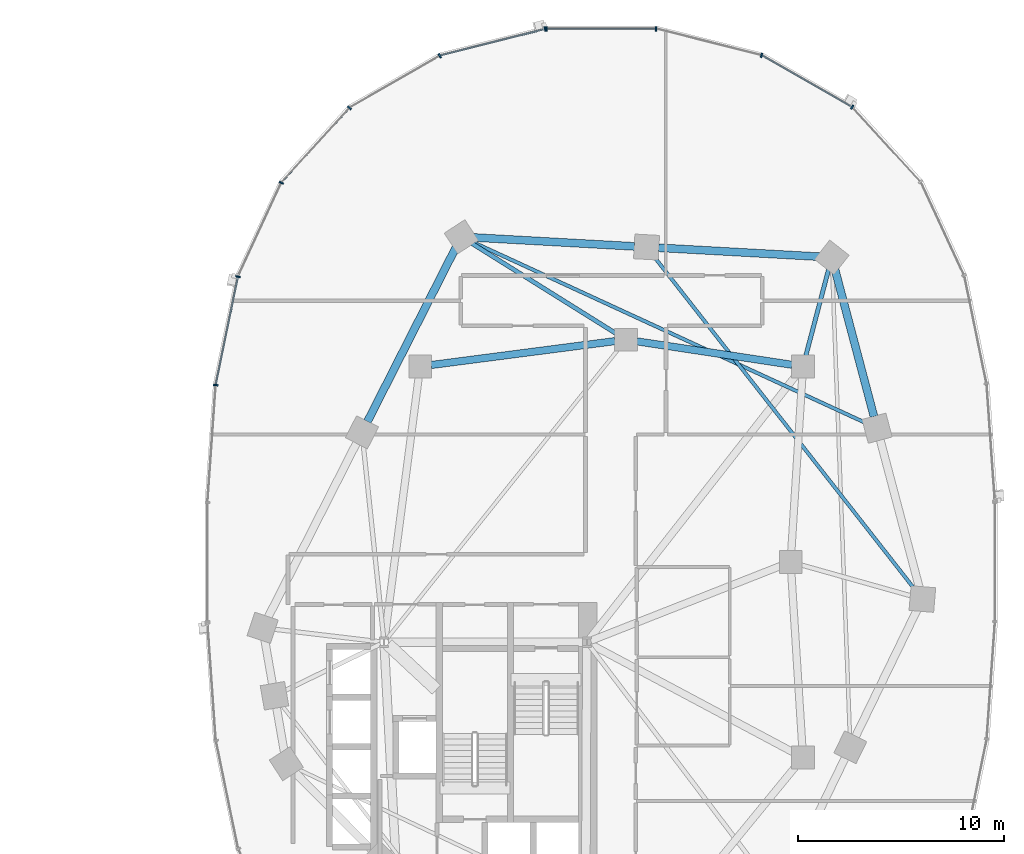
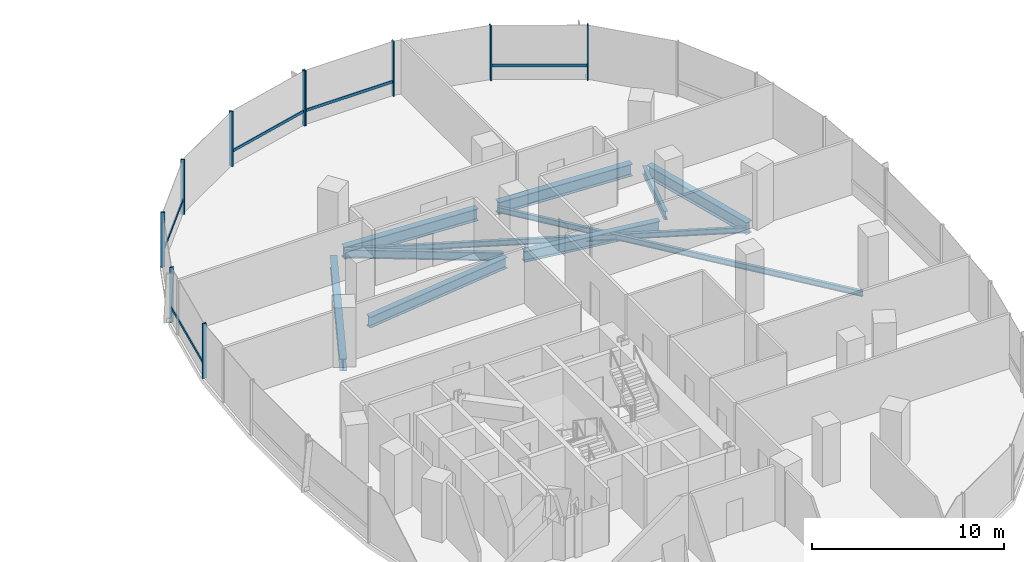
# One storey, part 7 of 22: 15 members, 10 beams, 2 elements without a shape of their own.
"""IFC4 building model written with IfcOpenShell, lengths in metres."""

import ifcopenshell
import ifcopenshell.guid

model = None  # the IFC model being written
_history = None  # IfcOwnerHistory: only IFC2X3 demands one
_inside = {}  # id of a spatial element -> (the spatial element, [elements in it])
_under = {}  # id of a project, library or spatial element -> (it, [spatial elements below it])
_declared = {}  # id of a project -> (the project, [libraries it declares])
_typed = {}  # id of a type object -> (the type object, [elements of that type])
_made_of = {}  # id of a material, layer set ... -> (it, [elements and type objects made of it])


def new_model(schema):
    """Start an empty IFC model of exactly this schema.

    Asked for "IFC4X3", IfcOpenShell would pick the latest addendum, in which some entities
    have other attributes; the version numbers below select the first issue.
    IFC2X3 requires an IfcOwnerHistory on every rooted entity: one is made here for all.
    """
    global model, _history
    if schema == "IFC4X3":
        model = ifcopenshell.file(schema_version=(4, 3, 0, 0))
    else:
        model = ifcopenshell.file(schema=schema)
    _inside.clear()
    _under.clear()
    _declared.clear()
    _typed.clear()
    _made_of.clear()
    _history = None
    if model.schema == "IFC2X3":
        org = make("IfcOrganization", Name="unknown")
        user = make(
            "IfcPersonAndOrganization",
            ThePerson=make("IfcPerson", FamilyName="unknown"),
            TheOrganization=org,
        )
        app = make(
            "IfcApplication",
            ApplicationDeveloper=org,
            Version="unknown",
            ApplicationFullName="unknown",
            ApplicationIdentifier="unknown",
        )
        _history = make(
            "IfcOwnerHistory",
            OwningUser=user,
            OwningApplication=app,
            ChangeAction="ADDED",
            CreationDate=0,
        )
    return model


def make(cls, **values):
    """One entity of the class cls with the attributes given. An attribute that is None is left unset."""
    return model.create_entity(
        cls, **{name: value for name, value in values.items() if value is not None}
    )


def rooted(cls, **values):
    """An entity with a GlobalId (a new one), such as an element, a storey or a relation."""
    return make(cls, GlobalId=ifcopenshell.guid.new(), OwnerHistory=_history, **values)


def si_unit(unit_type, name, prefix=None):
    """IfcSIUnit, for example si_unit("LENGTHUNIT", "METRE", prefix="MILLI")."""
    return make("IfcSIUnit", UnitType=unit_type, Prefix=prefix, Name=name)


def assignment(units):
    """IfcUnitAssignment: the units of a project."""
    return None if units is None else make("IfcUnitAssignment", Units=units)


def point(xyz):
    """IfcCartesianPoint."""
    return None if xyz is None else make("IfcCartesianPoint", Coordinates=xyz)


def direction(xyz):
    """IfcDirection."""
    return None if xyz is None else make("IfcDirection", DirectionRatios=xyz)


def frame(location, z_axis=None, x_axis=None):
    """IfcAxis2Placement3D, a coordinate frame: its origin and axes. An axis left out is left unset."""
    return make(
        "IfcAxis2Placement3D",
        Location=point(location),
        Axis=direction(z_axis),
        RefDirection=direction(x_axis),
    )


def frame_2d(location, x_axis=None):
    """IfcAxis2Placement2D, a coordinate frame in the plane: its origin and x axis."""
    return make(
        "IfcAxis2Placement2D", Location=point(location), RefDirection=direction(x_axis)
    )


def origin():
    """The frame at (0, 0, 0) with its axes left unset."""
    return frame((0.0, 0.0, 0.0))


def origin_2d():
    """The frame at (0, 0) in the plane with its x axis left unset."""
    return frame_2d((0.0, 0.0))


def place(relative_to, where):
    """IfcLocalPlacement: puts the frame where relative to a parent placement (None: the world)."""
    return make(
        "IfcLocalPlacement", PlacementRelTo=relative_to, RelativePlacement=where
    )


def context(
    kind, dimensions, precision=None, world=None, true_north=None, identifier=None
):
    """IfcGeometricRepresentationContext, for example the 3D "Model" context."""
    return make(
        "IfcGeometricRepresentationContext",
        ContextIdentifier=identifier,
        ContextType=kind,
        CoordinateSpaceDimension=dimensions,
        Precision=precision,
        WorldCoordinateSystem=world,
        TrueNorth=true_north,
    )


def subcontext(parent, identifier, kind, view, scale=None):
    """IfcGeometricRepresentationSubContext, for example "Body" below "Model"."""
    return make(
        "IfcGeometricRepresentationSubContext",
        ContextIdentifier=identifier,
        ContextType=kind,
        ParentContext=parent,
        TargetScale=scale,
        TargetView=view,
    )


def project(units=None, contexts=None):
    """IfcProject with its units and contexts."""
    return rooted(
        "IfcProject",
        Name="project",
        RepresentationContexts=contexts,
        UnitsInContext=assignment(units),
    )


def spatial(cls, under=None, at=None, **own):
    """A site, building, storey or space (cls), placed at a placement, below another one or the project."""
    s = rooted(cls, ObjectPlacement=at, **own)
    if under is not None:
        _under.setdefault(under.id(), (under, []))[1].append(s)
    return s


def profile(cls, at=None, kind="AREA", **sizes):
    """A parametric profile (cls). Its sizes go by their IFC names, for example OverallWidth=200.0."""
    return make(cls, ProfileType=kind, Position=at, **sizes)


def rectangle(**sizes):
    """IfcRectangleProfileDef."""
    return profile("IfcRectangleProfileDef", **sizes)


def i_section(**sizes):
    """IfcIShapeProfileDef."""
    return profile("IfcIShapeProfileDef", **sizes)


def extrude(swept, where, along, depth):
    """IfcExtrudedAreaSolid: the profile swept, set in the frame where, extruded along a direction by depth."""
    return make(
        "IfcExtrudedAreaSolid",
        SweptArea=swept,
        Position=where,
        ExtrudedDirection=direction(along),
        Depth=depth,
    )


def shape(context_of_items, identifier, shape_type, items):
    """IfcShapeRepresentation: the items that make up one representation, for example the "Body"."""
    return make(
        "IfcShapeRepresentation",
        ContextOfItems=context_of_items,
        RepresentationIdentifier=identifier,
        RepresentationType=shape_type,
        Items=items,
    )


def material(Name=None, Category=None):
    """IfcMaterial."""
    return make("IfcMaterial", Name=Name, Category=Category)


def material_profile(
    of_material, cross_section, Name=None, Category=None, Priority=None
):
    """IfcMaterialProfile: a cross section and its material."""
    return make(
        "IfcMaterialProfile",
        Name=Name,
        Material=of_material,
        Profile=cross_section,
        Priority=Priority,
        Category=Category,
    )


def profile_set(profiles, Name=None, composite=None):
    """IfcMaterialProfileSet."""
    return make(
        "IfcMaterialProfileSet",
        Name=Name,
        MaterialProfiles=profiles,
        CompositeProfile=composite,
    )


def made_of(thing, what):
    """Note that an element or type object is made of a material, layer set ...; save() writes the relation."""
    if what is not None:
        _made_of.setdefault(what.id(), (what, []))[1].append(thing)
    return thing


def type_object(cls, material=None, **own):
    """A type object (cls), such as IfcWallType, which elements share."""
    return made_of(rooted(cls, **own), material)


def element(
    cls,
    number,
    at=None,
    inside=None,
    cuts=None,
    type_object=None,
    material=None,
    context=None,
    identifier="Body",
    shape_type=None,
    held_by="IfcProductDefinitionShape",
    body=None,
    shapes=None,
    **own,
):
    """One element of the class cls, such as IfcWall. Its Tag is "e" and its number.

    at: its placement. inside: the storey or other place that contains it. cuts: it is an
    opening in that element (IfcRelVoidsElement). A single representation is given by context,
    identifier, shape_type and body (its items); several are given by shapes. held_by: the class
    of the entity that holds the representations. save() writes the other relations.
    """
    e = rooted(cls, Tag="e%d" % number, ObjectPlacement=at, **own)
    if body is not None:
        shapes = [shape(context, identifier, shape_type, body)]
    if shapes is not None:
        e.Representation = make(held_by, Representations=shapes)
    if inside is not None:
        _inside.setdefault(inside.id(), (inside, []))[1].append(e)
    if cuts is not None:
        rooted(
            "IfcRelVoidsElement", RelatingBuildingElement=cuts, RelatedOpeningElement=e
        )
    if type_object is not None:
        _typed.setdefault(type_object.id(), (type_object, []))[1].append(e)
    return made_of(e, material)


def aggregate(whole, parts):
    """IfcRelAggregates: a whole, such as a stair, and the parts it consists of."""
    return rooted("IfcRelAggregates", RelatingObject=whole, RelatedObjects=parts)


def save(model, path):
    """Write the relations noted so far, then the file.

    IfcRelAggregates (storeys below a building ...), IfcRelContainedInSpatialStructure (elements
    in a storey), IfcRelDefinesByType, IfcRelAssociatesMaterial and IfcRelDeclares: one each for
    every whole, place, type object, material and project.
    """
    for whole, parts in _under.values():
        aggregate(whole, parts)
    for where, things in _inside.values():
        rooted(
            "IfcRelContainedInSpatialStructure",
            RelatedElements=things,
            RelatingStructure=where,
        )
    for kind, things in _typed.values():
        rooted("IfcRelDefinesByType", RelatedObjects=things, RelatingType=kind)
    for what, things in _made_of.values():
        rooted("IfcRelAssociatesMaterial", RelatedObjects=things, RelatingMaterial=what)
    for by, libraries in _declared.values():
        rooted("IfcRelDeclares", RelatingContext=by, RelatedDefinitions=libraries)
    model.write(path)


model = new_model("IFC4")

# Units and contexts
model_context = context("Model", 3, precision=1e-05, world=origin(), true_north=direction((0.0, 1.0)))
body_context = subcontext(model_context, "Body", "Model", "MODEL_VIEW")
ifc_project = project(units=[si_unit("LENGTHUNIT", "METRE"), si_unit("AREAUNIT", "SQUARE_METRE"), si_unit("VOLUMEUNIT", "CUBIC_METRE"), si_unit("PLANEANGLEUNIT", "RADIAN"), si_unit("MASSUNIT", "GRAM", prefix="KILO"), si_unit("THERMODYNAMICTEMPERATUREUNIT", "KELVIN"), si_unit("POWERUNIT", "WATT")], contexts=[model_context])

# Site, building, storey
site_placement = place(None, origin())
site = spatial("IfcSite", under=ifc_project, at=site_placement, CompositionType="ELEMENT")
building_placement = place(site_placement, origin())
building = spatial("IfcBuilding", under=site, at=building_placement, Name="Cundina Bronze Exchange", CompositionType="ELEMENT")
storey_placement = place(building_placement, frame((0.0, 0.0, 43.0)))
storey = spatial("IfcBuildingStorey", under=building, at=storey_placement, Name="L10", CompositionType="ELEMENT", Elevation=43.0)

# Beams
ifc_material_1 = material(Name="Steel ASTM A992 Grade 50", Category="steel")
ifc_material_profile_1 = material_profile(ifc_material_1, i_section(OverallWidth=0.2099609375, OverallDepth=0.532958984375, WebThickness=0.01025390625, FlangeThickness=0.015625, FilletRadius=0.013916015625, at=origin_2d()), Name="W21X62", Category="steel")
ifc_profile_set_1 = profile_set([ifc_material_profile_1], Name="Steel ASTM A992 Grade 50")
beam_type_1 = type_object("IfcBeamType", Name="BM-FLR-W21B", PredefinedType="BEAM", material=ifc_profile_set_1)
beam_1_placement = place(storey_placement, frame((41.9375, 10.020263671875, -0.56640625), z_axis=(0.255373327887, 0.966842522546, 0.0), x_axis=(-0.966842522546, 0.255373327887, 0.0)))
element("IfcBeam", 1, at=beam_1_placement, inside=storey, type_object=beam_type_1, Name="L10 Leg E Chordal Floor Beam 10", PredefinedType="BEAM", context=body_context, shape_type="SweptSolid", body=[
    extrude(i_section(OverallWidth=0.2099609375, OverallDepth=0.532958984375, WebThickness=0.01025390625, FlangeThickness=0.015625, FilletRadius=0.013916015625, at=origin_2d()), origin(), (0.0, 0.0, 1.0), 4.355712890625),
])
beam_2_placement = place(storey_placement, frame((32.743896484375, 11.085205078125, -0.56640625), z_axis=(-0.848014812458, 0.529972525563, 0.0), x_axis=(-0.529972525563, -0.848014812458, 0.0)))
element("IfcBeam", 2, at=beam_2_placement, inside=storey, type_object=beam_type_1, Name="L10 Leg E Chordal Floor Beam 12", PredefinedType="BEAM", context=body_context, shape_type="SweptSolid", body=[
    extrude(i_section(OverallWidth=0.2099609375, OverallDepth=0.532958984375, WebThickness=0.01025390625, FlangeThickness=0.015625, FilletRadius=0.013916015625, at=origin_2d()), origin(), (0.0, 0.0, 1.0), 8.30810546875),
])
ifc_material_profile_2 = material_profile(ifc_material_1, i_section(OverallWidth=0.172119140625, OverallDepth=0.35791015625, WebThickness=0.0078125, FlangeThickness=0.01318359375, FilletRadius=0.010009765625, at=origin_2d()), Name="W14X38", Category="steel")
ifc_profile_set_2 = profile_set([ifc_material_profile_2], Name="Steel ASTM A992 Grade 50")
beam_type_2 = type_object("IfcBeamType", Name="BM-JST-W14", PredefinedType="JOIST", material=ifc_profile_set_2)
beam_3_placement = place(storey_placement, frame((47.2373046875, -1.337158203125, -0.47900390625), z_axis=(-0.616803089524, 0.787117493614, 0.0), x_axis=(-0.787117493614, -0.616803089524, 0.0)))
element("IfcBeam", 3, at=beam_3_placement, inside=storey, type_object=beam_type_2, Name="L10 Leg E Lobe Floor Joist 08-11", PredefinedType="JOIST", context=body_context, shape_type="SweptSolid", body=[
    extrude(i_section(OverallWidth=0.172119140625, OverallDepth=0.35791015625, WebThickness=0.0078125, FlangeThickness=0.01318359375, FilletRadius=0.010009765625, at=origin_2d()), origin(), (0.0, 0.0, 1.0), 20.548828125),
])
beam_4_placement = place(storey_placement, frame((44.865966796875, 6.745849609375, -0.47900390625), z_axis=(-0.908351511887, 0.418207521277, 0.0), x_axis=(-0.418207521277, -0.908351511887, 0.0)))
element("IfcBeam", 4, at=beam_4_placement, inside=storey, type_object=beam_type_2, Name="L10 Leg E Lobe Floor Joist 09-12", PredefinedType="JOIST", context=body_context, shape_type="SweptSolid", body=[
    extrude(i_section(OverallWidth=0.172119140625, OverallDepth=0.35791015625, WebThickness=0.0078125, FlangeThickness=0.01318359375, FilletRadius=0.010009765625, at=origin_2d()), origin(), (0.0, 0.0, 1.0), 21.062255859375),
])
ifc_material_profile_3 = material_profile(ifc_material_1, i_section(OverallWidth=0.35498046875, OverallDepth=0.695068359375, WebThickness=0.015380859375, FlangeThickness=0.02490234375, FilletRadius=0.01806640625, at=origin_2d()), Name="W27X146", Category="steel")
ifc_profile_set_3 = profile_set([ifc_material_profile_3], Name="Steel ASTM A992 Grade 50")
beam_type_3 = type_object("IfcBeamType", Name="BM-RING-W27", PredefinedType="USERDEFINED", material=ifc_profile_set_3)
beam_5_placement = place(storey_placement, frame((41.26806640625, 9.580322265625, -0.6474609375), z_axis=(-0.988767489563, 0.149461873341, 0.0), x_axis=(-0.149461873341, -0.988767489563, 0.0)))
element("IfcBeam", 5, at=beam_5_placement, inside=storey, type_object=beam_type_3, Name="L10 E Inner Structural Ring Girder 05", ObjectType="GIRDER", PredefinedType="USERDEFINED", context=body_context, shape_type="SweptSolid", body=[
    extrude(i_section(OverallWidth=0.35498046875, OverallDepth=0.695068359375, WebThickness=0.015380859375, FlangeThickness=0.02490234375, FilletRadius=0.01806640625, at=origin_2d()), origin(), (0.0, 0.0, 1.0), 7.621826171875),
])
beam_6_placement = place(storey_placement, frame((32.66650390625, 10.730712890625, -0.6474609375), z_axis=(-0.991654577907, -0.128923225666, 0.0), x_axis=(0.128923225666, -0.991654577907, 0.0)))
element("IfcBeam", 6, at=beam_6_placement, inside=storey, type_object=beam_type_3, Name="L10 E Inner Structural Ring Girder 06", ObjectType="GIRDER", PredefinedType="USERDEFINED", context=body_context, shape_type="SweptSolid", body=[
    extrude(i_section(OverallWidth=0.35498046875, OverallDepth=0.695068359375, WebThickness=0.015380859375, FlangeThickness=0.02490234375, FilletRadius=0.01806640625, at=origin_2d()), origin(), (0.0, 0.0, 1.0), 9.00830078125),
])
ifc_material_profile_4 = material_profile(ifc_material_1, i_section(OverallWidth=0.381103515625, OverallDepth=0.77294921875, WebThickness=0.0166015625, FlangeThickness=0.027099609375, FilletRadius=0.01904296875, at=origin_2d()), Name="W30X173", Category="steel")
ifc_profile_set_4 = profile_set([ifc_material_profile_4], Name="Steel ASTM A992 Grade 50")
beam_type_4 = type_object("IfcBeamType", Name="BM-RING-W30", PredefinedType="USERDEFINED", material=ifc_profile_set_4)
beam_7_placement = place(storey_placement, frame((45.249267578125, 7.068359375, -0.6865234375), z_axis=(-0.256208567826, 0.966621523541, 0.0), x_axis=(-0.966621523541, -0.256208567826, 0.0)))
element("IfcBeam", 7, at=beam_7_placement, inside=storey, type_object=beam_type_4, Name="L10 E Perimeter Ring Girder 09", ObjectType="GIRDER", PredefinedType="USERDEFINED", context=body_context, shape_type="SweptSolid", body=[
    extrude(i_section(OverallWidth=0.381103515625, OverallDepth=0.77294921875, WebThickness=0.0166015625, FlangeThickness=0.027099609375, FilletRadius=0.01904296875, at=origin_2d()), origin(), (0.0, 0.0, 1.0), 7.41064453125),
])
for number, where, z_axis, x_axis, name in (
    (8, (42.61279296875, 14.83251953125, -0.6865234375), (-0.998459969805, 0.055476920391, 0.0), (-0.055476920391, -0.998459969805, 0.0), "L10 E Perimeter Ring Girder 10"),
    (9, (33.61279296875, 15.33251953125, -0.6865234375), (-0.998459969805, 0.055476920391, 0.0), (-0.055476920391, -0.998459969805, 0.0), "L10 E Perimeter Ring Girder 11"),
):
    element("IfcBeam", number, at=place(storey_placement, frame(where, z_axis=z_axis, x_axis=x_axis)), inside=storey, type_object=beam_type_4, Name=name, ObjectType="GIRDER", PredefinedType="USERDEFINED", context=body_context, shape_type="SweptSolid", body=[
        extrude(i_section(OverallWidth=0.381103515625, OverallDepth=0.77294921875, WebThickness=0.0166015625, FlangeThickness=0.027099609375, FilletRadius=0.01904296875, at=origin_2d()), origin(), (0.0, 0.0, 1.0), 7.837646484375),
    ])
beam_8_placement = place(storey_placement, frame((24.93359375, 15.275634765625, -0.6865234375), z_axis=(-0.452819633606, -0.891602141889, 0.0), x_axis=(0.891602141889, -0.452819633606, 0.0)))
element("IfcBeam", 10, at=beam_8_placement, inside=storey, type_object=beam_type_4, Name="L10 E Perimeter Ring Girder 12", ObjectType="GIRDER", PredefinedType="USERDEFINED", context=body_context, shape_type="SweptSolid", body=[
    extrude(i_section(OverallWidth=0.381103515625, OverallDepth=0.77294921875, WebThickness=0.0166015625, FlangeThickness=0.027099609375, FilletRadius=0.01904296875, at=origin_2d()), origin(), (0.0, 0.0, 1.0), 9.47900390625),
])

# Curtain wall, members
ifc_material_2 = material(Name="Anodised Bronze Aluminium 6063-T6", Category="aluminium")
curtain_wall_type = type_object("IfcCurtainWallType", Name="CWS-TRD-LOW", PredefinedType="NOTDEFINED", material=ifc_material_2)
curtain_wall_1_placement = place(storey_placement, origin())
curtain_wall_1 = element("IfcCurtainWall", 11, at=curtain_wall_1_placement, inside=storey, type_object=curtain_wall_type, Name="L10 CW-02 Curtain Wall Run CWR-L10-E1", PredefinedType="NOTDEFINED")
ifc_material_profile_5 = material_profile(ifc_material_2, rectangle(XDim=0.074951171875, YDim=0.219970703125, at=origin_2d()), Name="AL75X220", Category="aluminium")
ifc_profile_set_5 = profile_set([ifc_material_profile_5], Name="Anodised Bronze Aluminium 6063-T6")
member_type_1 = type_object("IfcMemberType", Name="CWM-MUL-220", PredefinedType="MULLION", material=ifc_profile_set_5)
member_1_placement = place(storey_placement, frame((44.189697265625, 22.097412109375, 0.0), z_axis=(0.0, 0.0, 1.0), x_axis=(-0.867070701164, 0.498185105339, 0.0)))
member_1 = element("IfcMember", 12, at=member_1_placement, type_object=member_type_1, Name="CW-02 Mullion 5", PredefinedType="MULLION", context=body_context, shape_type="SweptSolid", body=[
    extrude(rectangle(XDim=0.074951171875, YDim=0.219970703125, at=origin_2d()), origin(), (0.0, 0.0, 1.0), 3.5),
])
member_2_placement = place(storey_placement, frame((39.78515625, 24.61669921875, 0.0), z_axis=(0.0, 0.0, 1.0), x_axis=(-0.969488149345, 0.245138182011, 0.0)))
member_2 = element("IfcMember", 13, at=member_2_placement, type_object=member_type_1, Name="CW-02 Mullion 6", PredefinedType="MULLION", context=body_context, shape_type="SweptSolid", body=[
    extrude(rectangle(XDim=0.074951171875, YDim=0.219970703125, at=origin_2d()), origin(), (0.0, 0.0, 1.0), 3.5),
])
member_3_placement = place(storey_placement, frame((34.654541015625, 25.905029296875, 0.0), z_axis=(0.0, 0.0, 1.0), x_axis=(-1.0, 0.0, 0.0)))
member_3 = element("IfcMember", 14, at=member_3_placement, type_object=member_type_1, Name="CW-02 Mullion 7", PredefinedType="MULLION", context=body_context, shape_type="SweptSolid", body=[
    extrude(rectangle(XDim=0.074951171875, YDim=0.219970703125, at=origin_2d()), origin(), (0.0, 0.0, 1.0), 3.5),
])
member_4_placement = place(storey_placement, frame((29.345458984375, 25.905029296875, 0.0), z_axis=(0.0, 0.0, 1.0), x_axis=(-1.0, 0.0, 0.0)))
member_4 = element("IfcMember", 15, at=member_4_placement, type_object=member_type_1, Name="CW-02 End Mullion", PredefinedType="MULLION", context=body_context, shape_type="SweptSolid", body=[
    extrude(rectangle(XDim=0.074951171875, YDim=0.219970703125, at=origin_2d()), origin(), (0.0, 0.0, 1.0), 3.5),
])

curtain_wall_2_placement = place(storey_placement, origin())
curtain_wall_2 = element("IfcCurtainWall", 16, at=curtain_wall_2_placement, inside=storey, type_object=curtain_wall_type, Name="L10 CW-02 Curtain Wall Run CWR-L10-E2", PredefinedType="NOTDEFINED")
member_5_placement = place(storey_placement, frame((29.27392578125, 25.89599609375, 0.0), z_axis=(0.0, 0.0, 1.0), x_axis=(-0.969488149345, -0.245138182011, 0.0)))
member_5 = element("IfcMember", 17, at=member_5_placement, type_object=member_type_1, Name="CW-02 Mullion 1", PredefinedType="MULLION", context=body_context, shape_type="SweptSolid", body=[
    extrude(rectangle(XDim=0.074951171875, YDim=0.219970703125, at=origin_2d()), origin(), (0.0, 0.0, 1.0), 3.5),
])
member_6_placement = place(storey_placement, frame((24.151123046875, 24.591064453125, 0.0), z_axis=(0.0, 0.0, 1.0), x_axis=(-0.867070701164, -0.498185105339, 0.0)))
member_6 = element("IfcMember", 18, at=member_6_placement, type_object=member_type_1, Name="CW-02 Mullion 2", PredefinedType="MULLION", context=body_context, shape_type="SweptSolid", body=[
    extrude(rectangle(XDim=0.074951171875, YDim=0.219970703125, at=origin_2d()), origin(), (0.0, 0.0, 1.0), 3.5),
])
member_7_placement = place(storey_placement, frame((19.760498046875, 22.0576171875, 0.0), z_axis=(0.0, 0.0, 1.0), x_axis=(-0.674302387584, -0.738455340626, 0.0)))
member_7 = element("IfcMember", 19, at=member_7_placement, type_object=member_type_1, Name="CW-02 Mullion 3", PredefinedType="MULLION", context=body_context, shape_type="SweptSolid", body=[
    extrude(rectangle(XDim=0.074951171875, YDim=0.219970703125, at=origin_2d()), origin(), (0.0, 0.0, 1.0), 3.5),
])
member_8_placement = place(storey_placement, frame((16.455810546875, 18.423583984375, 0.0), z_axis=(0.0, 0.0, 1.0), x_axis=(-0.42087749791, -0.907117485088, 0.0)))
member_8 = element("IfcMember", 20, at=member_8_placement, type_object=member_type_1, Name="CW-02 Mullion 4", PredefinedType="MULLION", context=body_context, shape_type="SweptSolid", body=[
    extrude(rectangle(XDim=0.074951171875, YDim=0.219970703125, at=origin_2d()), origin(), (0.0, 0.0, 1.0), 3.5),
])
member_9_placement = place(storey_placement, frame((14.348876953125, 13.861328125, 0.0), z_axis=(0.0, 0.0, 1.0), x_axis=(-0.201419845156, -0.979505000486, 0.0)))
member_9 = element("IfcMember", 21, at=member_9_placement, type_object=member_type_1, Name="CW-02 Mullion 5", PredefinedType="MULLION", context=body_context, shape_type="SweptSolid", body=[
    extrude(rectangle(XDim=0.074951171875, YDim=0.219970703125, at=origin_2d()), origin(), (0.0, 0.0, 1.0), 3.5),
])
member_10_placement = place(storey_placement, frame((13.27099609375, 8.591552734375, 0.0), z_axis=(0.0, 0.0, 1.0), x_axis=(-0.070278787473, -0.997527389113, 0.0)))
member_10 = element("IfcMember", 22, at=member_10_placement, type_object=member_type_1, Name="CW-02 Mullion 6", PredefinedType="MULLION", context=body_context, shape_type="SweptSolid", body=[
    extrude(rectangle(XDim=0.074951171875, YDim=0.219970703125, at=origin_2d()), origin(), (0.0, 0.0, 1.0), 3.5),
])

# Member
ifc_material_profile_6 = material_profile(ifc_material_2, rectangle(XDim=0.070068359375, YDim=0.179931640625, at=origin_2d()), Name="AL70X180", Category="aluminium")
ifc_profile_set_6 = profile_set([ifc_material_profile_6], Name="Anodised Bronze Aluminium 6063-T6")
member_type_2 = type_object("IfcMemberType", Name="CWM-TRN-180", PredefinedType="USERDEFINED", material=ifc_profile_set_6)
member_11_placement = place(storey_placement, frame((44.154052734375, 22.117919921875, 0.919921875), z_axis=(-0.867097475651, 0.498138502546, 0.0), x_axis=(-0.498138502546, -0.867097475651, 0.0)))
member_11 = element("IfcMember", 23, at=member_11_placement, type_object=member_type_2, Name="CW-02 Spandrel Transom 5", ObjectType="TRANSOM", PredefinedType="USERDEFINED", context=body_context, shape_type="SweptSolid", body=[
    extrude(rectangle(XDim=0.070068359375, YDim=0.179931640625, at=origin_2d()), origin(), (0.0, 0.0, 1.0), 5.00634765625),
])

member_12_placement = place(storey_placement, frame((34.61328125, 25.905029296875, 0.919921875), z_axis=(-1.0, 0.0, 0.0), x_axis=(0.0, -1.0, 0.0)))
member_12 = element("IfcMember", 24, at=member_12_placement, type_object=member_type_2, Name="CW-02 Spandrel Transom 7", ObjectType="TRANSOM", PredefinedType="USERDEFINED", context=body_context, shape_type="SweptSolid", body=[
    extrude(rectangle(XDim=0.070068359375, YDim=0.179931640625, at=origin_2d()), origin(), (0.0, 0.0, 1.0), 5.2265625),
])

aggregate(curtain_wall_1, [member_1, member_11, member_2, member_3, member_4, member_12])

member_13_placement = place(storey_placement, frame((29.23388671875, 25.885986328125, 0.919921875), z_axis=(-0.969483968866, -0.245154714644, 0.0), x_axis=(0.245154714644, -0.969483968866, 0.0)))
member_13 = element("IfcMember", 25, at=member_13_placement, type_object=member_type_2, Name="CW-02 Spandrel Transom 1", ObjectType="TRANSOM", PredefinedType="USERDEFINED", context=body_context, shape_type="SweptSolid", body=[
    extrude(rectangle(XDim=0.070068359375, YDim=0.179931640625, at=origin_2d()), origin(), (0.0, 0.0, 1.0), 5.21826171875),
])

member_14_placement = place(storey_placement, frame((19.73291015625, 22.027099609375, 0.919921875), z_axis=(-0.674302794847, -0.738454968743, 0.0), x_axis=(0.738454968743, -0.674302794847, 0.0)))
member_14 = element("IfcMember", 26, at=member_14_placement, type_object=member_type_2, Name="CW-02 Spandrel Transom 3", ObjectType="TRANSOM", PredefinedType="USERDEFINED", context=body_context, shape_type="SweptSolid", body=[
    extrude(rectangle(XDim=0.070068359375, YDim=0.179931640625, at=origin_2d()), origin(), (0.0, 0.0, 1.0), 4.848388671875),
])

member_15_placement = place(storey_placement, frame((14.340576171875, 13.821044921875, 0.919921875), z_axis=(-0.201427712708, -0.979503382615, 0.0), x_axis=(0.979503382615, -0.201427712708, 0.0)))
member_15 = element("IfcMember", 27, at=member_15_placement, type_object=member_type_2, Name="CW-02 Spandrel Transom 5", ObjectType="TRANSOM", PredefinedType="USERDEFINED", context=body_context, shape_type="SweptSolid", body=[
    extrude(rectangle(XDim=0.070068359375, YDim=0.179931640625, at=origin_2d()), origin(), (0.0, 0.0, 1.0), 5.291748046875),
])

aggregate(curtain_wall_2, [member_5, member_13, member_6, member_7, member_14, member_8, member_9, member_15, member_10])

save(model, "model.ifc")
